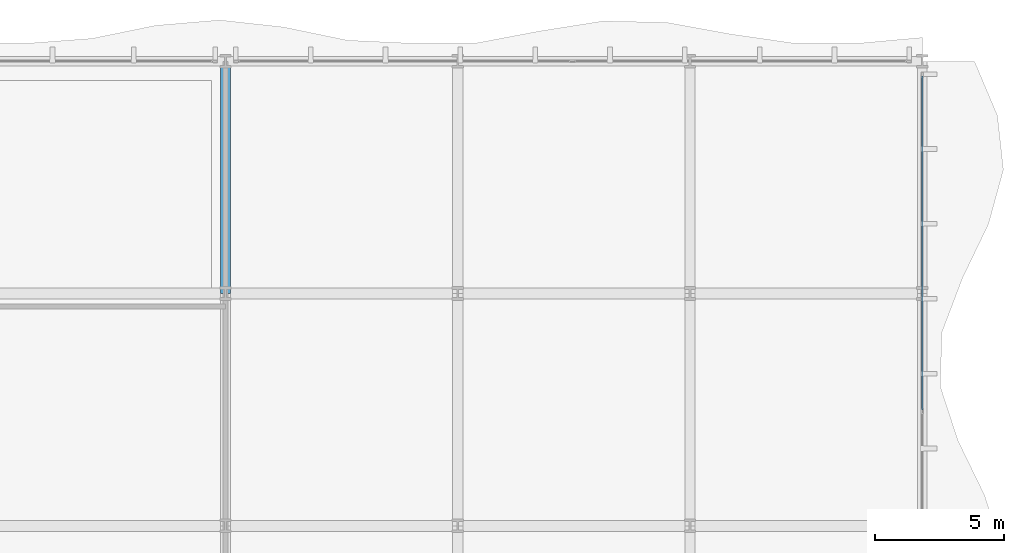
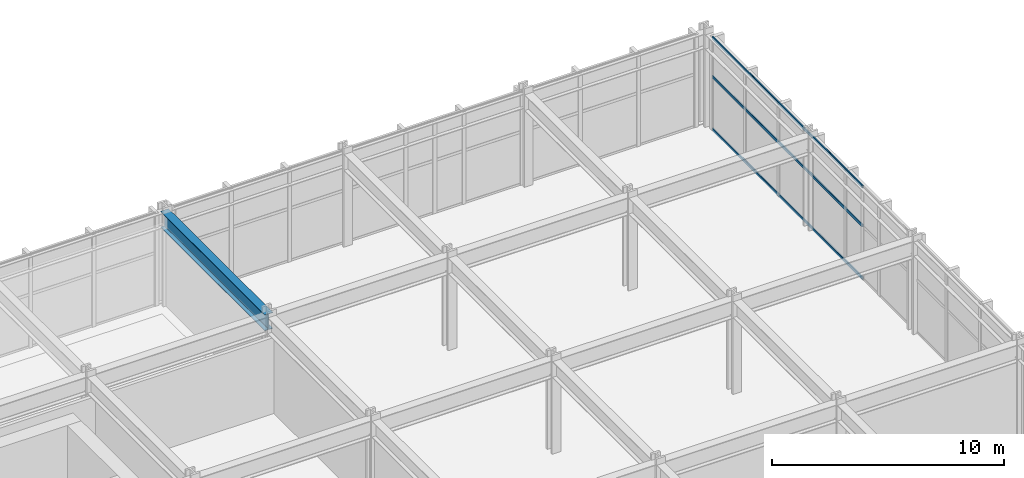
# One storey, part 18 of 31: 3 members, 1 beam, 1 element without a shape of its own.
"""IFC4 building model written with IfcOpenShell, lengths in metres."""

from ifc_helpers import new_model, si_unit, direction, frame, origin, origin_2d, place, context, subcontext, project, spatial, hollow_rectangle, i_section, extrude, material, layer, layer_set, material_profile, profile_set, type_object, element, aggregate, save


model = new_model("IFC4")

# Units and contexts
model_context = context("Model", 3, precision=1e-05, world=origin(), true_north=direction((0.0, 1.0)))
body_context = subcontext(model_context, "Body", "Model", "MODEL_VIEW")
ifc_project = project(units=[si_unit("LENGTHUNIT", "METRE"), si_unit("AREAUNIT", "SQUARE_METRE"), si_unit("VOLUMEUNIT", "CUBIC_METRE"), si_unit("PLANEANGLEUNIT", "RADIAN"), si_unit("MASSUNIT", "GRAM", prefix="KILO")], contexts=[model_context])

# Site, building, storey
site_placement = place(None, origin())
site = spatial("IfcSite", under=ifc_project, at=site_placement, CompositionType="ELEMENT")
building_placement = place(site_placement, origin())
building = spatial("IfcBuilding", under=site, at=building_placement, Name="Solvaryn Broadcast Tower", CompositionType="ELEMENT")
storey_placement = place(building_placement, frame((0.0, 0.0, 11.0)))
storey = spatial("IfcBuildingStorey", under=building, at=storey_placement, Name="L02", CompositionType="ELEMENT", Elevation=11.0)

# Beam
ifc_material_1 = material(Name="Steel ASTM A992 Grade 50", Category="steel")
ifc_material_profile_1 = material_profile(ifc_material_1, i_section(OverallWidth=0.39990234375, OverallDepth=0.85498046875, WebThickness=0.018310546875, FlangeThickness=0.029296875, FilletRadius=0.02001953125, at=origin_2d()))
ifc_profile_set_1 = profile_set([ifc_material_profile_1], Name="Steel ASTM A992 Grade 50")
beam_type = type_object("IfcBeamType", Name="BM-G3-W33X201", PredefinedType="BEAM", material=ifc_profile_set_1)
beam_placement = place(storey_placement, frame((36.0, 45.0, 4.452392578125), z_axis=(0.0, 1.0, 0.0), x_axis=(-1.0, 0.0, 0.0)))
element("IfcBeam", 1, at=beam_placement, inside=storey, type_object=beam_type, Name="L02 Primary Beam Y (45-54 @ X=36)", PredefinedType="BEAM", context=body_context, shape_type="SweptSolid", body=[
    extrude(i_section(OverallWidth=0.39990234375, OverallDepth=0.85498046875, WebThickness=0.018310546875, FlangeThickness=0.029296875, FilletRadius=0.02001953125, at=origin_2d()), origin(), (0.0, 0.0, 1.0), 9.0),
])

# Curtain wall, members
ifc_material_2 = material(Name="Aluminium and Terracotta Unitised Curtain Wall", Category="masonry")
ifc_layer = layer(ifc_material_2, 0.219970703125)
ifc_layer_set = layer_set([ifc_layer], Name="CW-SYS1-PODIUM")
curtain_wall_type = type_object("IfcCurtainWallType", Name="CW-SYS1-PODIUM", PredefinedType="NOTDEFINED", material=ifc_layer_set)
curtain_wall_placement = place(storey_placement, origin())
curtain_wall = element("IfcCurtainWall", 2, at=curtain_wall_placement, inside=storey, type_object=curtain_wall_type, Name="L02 Podium Curtain Wall E1", PredefinedType="NOTDEFINED")
ifc_material_3 = material(Name="Anodised Aluminium 6063-T6", Category="aluminium")
ifc_material_profile_2 = material_profile(ifc_material_3, hollow_rectangle(XDim=0.06494140625, YDim=0.14990234375, WallThickness=0.00390625, InnerFilletRadius=0.00390625, OuterFilletRadius=0.008056640625, at=origin_2d()))
ifc_profile_set_2 = profile_set([ifc_material_profile_2], Name="Anodised Aluminium 6063-T6")
member_type = type_object("IfcMemberType", Name="CW-TRN-150", PredefinedType="USERDEFINED", material=ifc_profile_set_2)
member_1_placement = place(storey_placement, frame((63.0, 53.43994140625, 0.030029296875), z_axis=(0.0, -1.0, 0.0), x_axis=(1.0, 0.0, 0.0)))
member_1 = element("IfcMember", 3, at=member_1_placement, type_object=member_type, Name="CWS1 transom 1.1", ObjectType="TRANSOM", PredefinedType="USERDEFINED", context=body_context, shape_type="SweptSolid", body=[
    extrude(hollow_rectangle(XDim=0.06494140625, YDim=0.14990234375, WallThickness=0.00390625, InnerFilletRadius=0.00390625, OuterFilletRadius=0.008056640625, at=origin_2d()), origin(), (0.0, 0.0, 1.0), 12.9599609375),
])
member_2_placement = place(storey_placement, frame((63.0, 53.43994140625, 2.800048828125), z_axis=(0.0, -1.0, 0.0), x_axis=(1.0, 0.0, 0.0)))
member_2 = element("IfcMember", 4, at=member_2_placement, type_object=member_type, Name="CWS1 transom 1.2", ObjectType="TRANSOM", PredefinedType="USERDEFINED", context=body_context, shape_type="SweptSolid", body=[
    extrude(hollow_rectangle(XDim=0.06494140625, YDim=0.14990234375, WallThickness=0.00390625, InnerFilletRadius=0.00390625, OuterFilletRadius=0.008056640625, at=origin_2d()), origin(), (0.0, 0.0, 1.0), 12.9599609375),
])
member_3_placement = place(storey_placement, frame((63.0, 53.43994140625, 4.85009765625), z_axis=(0.0, -1.0, 0.0), x_axis=(1.0, 0.0, 0.0)))
member_3 = element("IfcMember", 5, at=member_3_placement, type_object=member_type, Name="CWS1 transom 1.3", ObjectType="TRANSOM", PredefinedType="USERDEFINED", context=body_context, shape_type="SweptSolid", body=[
    extrude(hollow_rectangle(XDim=0.06494140625, YDim=0.14990234375, WallThickness=0.00390625, InnerFilletRadius=0.00390625, OuterFilletRadius=0.008056640625, at=origin_2d()), origin(), (0.0, 0.0, 1.0), 12.9599609375),
])
aggregate(curtain_wall, [member_1, member_2, member_3])

save(model, "model.ifc")
